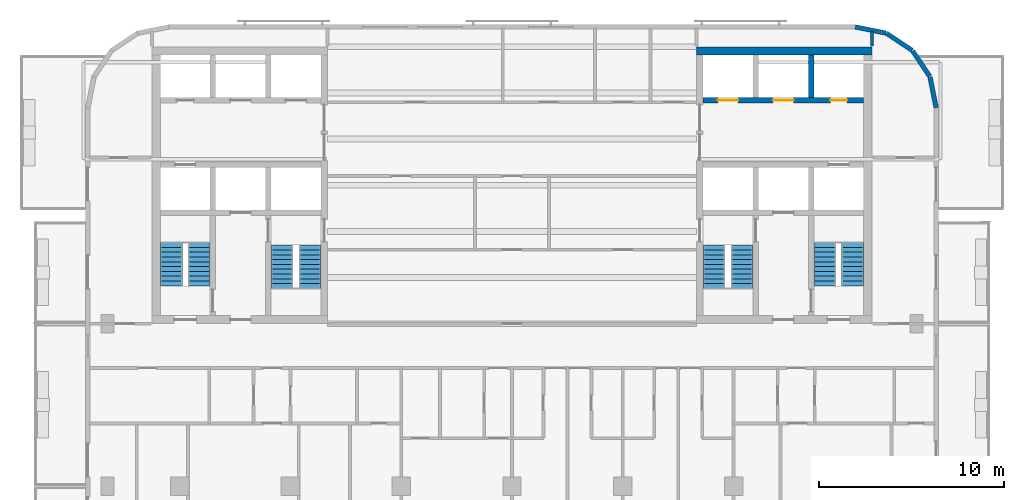
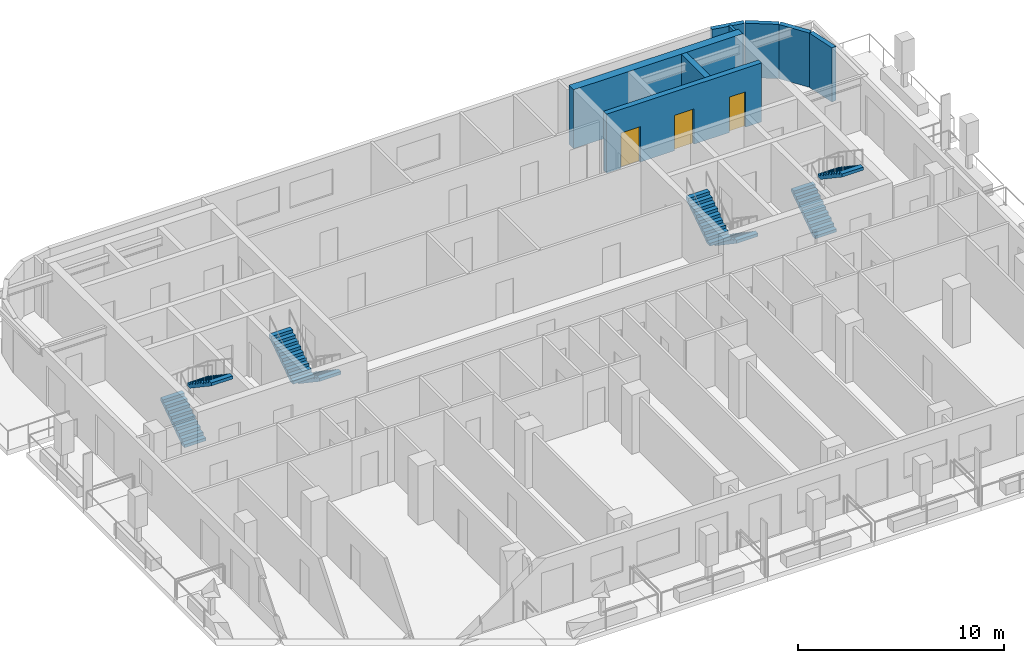
# One storey, part 7 of 11: 8 stair flights, 8 walls, 3 doors, 3 openings, 4 elements without a shape of their own.
"""IFC4 building model written with IfcOpenShell, lengths in metres."""

from ifc_helpers import new_model, si_unit, direction, frame, frame_2d, origin, place, context, subcontext, project, spatial, polyline, rectangle, outline, extrude, material, layer, layer_set, type_object, element, fill, aggregate, save


model = new_model("IFC4")

# Units and contexts
model_context = context("Model", 3, precision=1e-05, world=origin(), true_north=direction((0.0, 1.0)))
body_context = subcontext(model_context, "Body", "Model", "MODEL_VIEW")
ifc_project = project(units=[si_unit("LENGTHUNIT", "METRE"), si_unit("AREAUNIT", "SQUARE_METRE"), si_unit("VOLUMEUNIT", "CUBIC_METRE"), si_unit("PLANEANGLEUNIT", "RADIAN"), si_unit("MASSUNIT", "GRAM", prefix="KILO")], contexts=[model_context])

# Site, building, storey
site_placement = place(None, origin())
site = spatial("IfcSite", under=ifc_project, at=site_placement, CompositionType="ELEMENT")
building_placement = place(site_placement, origin())
building = spatial("IfcBuilding", under=site, at=building_placement, Name="Torana Hotel and Residences", CompositionType="ELEMENT")
storey_placement = place(building_placement, frame((0.0, 0.0, 273.60009765625)))
storey = spatial("IfcBuildingStorey", under=building, at=storey_placement, Name="L72", CompositionType="ELEMENT", Elevation=273.60009765625)

# Wall, openings, doors
ifc_material_1 = material(Name="Concrete C60/75", Category="concrete")
ifc_layer_1 = layer(ifc_material_1, 0.300048828125)
ifc_layer_set_1 = layer_set([ifc_layer_1], Name="CORE WALL 300 C60/75")
wall_type_1 = type_object("IfcWallType", Name="CORE WALL 300 C60/75", PredefinedType="SHEAR", material=ifc_layer_set_1)
wall_1_placement = place(storey_placement, frame((10.35009765625, -2.89990234375, 0.0), z_axis=(0.0, 0.0, 1.0), x_axis=(1.0, 0.0, 0.0)))
wall_1 = element("IfcWall", 1, at=wall_1_placement, inside=storey, type_object=wall_type_1, Name="Core wall E row-N", PredefinedType="SHEAR", context=body_context, shape_type="SweptSolid", body=[
    extrude(rectangle(XDim=8.699951171875, YDim=0.300048828125, at=frame_2d((4.35009765625, 0.0))), origin(), (0.0, 0.0, 1.0), 3.5),
])
opening_1_placement = place(wall_1_placement, frame((0.800048828125, 0.0, 0.0)))
opening_1 = element("IfcOpeningElement", 2, at=opening_1_placement, cuts=wall_1, Name="Opening LD", PredefinedType="OPENING", context=body_context, shape_type="SweptSolid", body=[
    extrude(rectangle(XDim=1.10009765625, YDim=2.10009765625, at=frame_2d((0.550048828125, 1.050048828125))), frame((0.0, 0.159912109375, 0.0), z_axis=(0.0, -1.0, 0.0), x_axis=(1.0, 0.0, 0.0)), (0.0, 0.0, 1.0), 0.320068359375),
])
opening_2_placement = place(wall_1_placement, frame((3.800048828125, 0.0, 0.0)))
opening_2 = element("IfcOpeningElement", 3, at=opening_2_placement, cuts=wall_1, Name="Opening LD", PredefinedType="OPENING", context=body_context, shape_type="SweptSolid", body=[
    extrude(rectangle(XDim=1.10009765625, YDim=2.10009765625, at=frame_2d((0.550048828125, 1.050048828125))), frame((0.0, 0.159912109375, 0.0), z_axis=(0.0, -1.0, 0.0), x_axis=(1.0, 0.0, 0.0)), (0.0, 0.0, 1.0), 0.320068359375),
])
opening_3_placement = place(wall_1_placement, frame((6.89990234375, 0.0, 0.0)))
opening_3 = element("IfcOpeningElement", 4, at=opening_3_placement, cuts=wall_1, Name="Opening L72-14", PredefinedType="OPENING", context=body_context, shape_type="SweptSolid", body=[
    extrude(rectangle(XDim=0.89990234375, YDim=2.10009765625, at=frame_2d((0.449951171875, 1.050048828125))), frame((0.0, 0.159912109375, 0.0), z_axis=(0.0, -1.0, 0.0), x_axis=(1.0, 0.0, 0.0)), (0.0, 0.0, 1.0), 0.320068359375),
])
ifc_material_2 = material(Name="Stainless steel 316", Category="steel")
door_type_1 = type_object("IfcDoorType", Name="LIFT LANDING DOOR LD 1100x2100", OperationType="DOUBLE_DOOR_SLIDING", PredefinedType="USERDEFINED", material=ifc_material_2)
door_1_placement = place(opening_1_placement, origin())
door_1 = element("IfcDoor", 5, at=door_1_placement, inside=storey, type_object=door_type_1, Name="Lift landing door H3 L72", ObjectType="LIFT LANDING DOOR", OperationType="DOUBLE_DOOR_SLIDING", OverallHeight=2.10009765625, OverallWidth=1.10009765625, PredefinedType="USERDEFINED", context=body_context, shape_type="SweptSolid", body=[
    extrude(rectangle(XDim=1.10009765625, YDim=2.10009765625, at=frame_2d((0.550048828125, 1.050048828125))), frame((0.0, 0.02490234375, 0.0), z_axis=(0.0, -1.0, 0.0), x_axis=(1.0, 0.0, 0.0)), (0.0, 0.0, 1.0), 0.050048828125),
])
fill(opening_1, door_1)
door_2_placement = place(opening_2_placement, origin())
door_2 = element("IfcDoor", 6, at=door_2_placement, inside=storey, type_object=door_type_1, Name="Lift landing door H4 L72", ObjectType="LIFT LANDING DOOR", OperationType="DOUBLE_DOOR_SLIDING", OverallHeight=2.10009765625, OverallWidth=1.10009765625, PredefinedType="USERDEFINED", context=body_context, shape_type="SweptSolid", body=[
    extrude(rectangle(XDim=1.10009765625, YDim=2.10009765625, at=frame_2d((0.550048828125, 1.050048828125))), frame((0.0, 0.02490234375, 0.0), z_axis=(0.0, -1.0, 0.0), x_axis=(1.0, 0.0, 0.0)), (0.0, 0.0, 1.0), 0.050048828125),
])
fill(opening_2, door_2)
ifc_material_3 = material(Name="Steel S235", Category="steel")
door_type_2 = type_object("IfcDoorType", Name="RISER ACCESS DOOR D5 900x2100", OperationType="SINGLE_SWING_LEFT", PredefinedType="DOOR", material=ifc_material_3)
door_3_placement = place(opening_3_placement, origin())
door_3 = element("IfcDoor", 7, at=door_3_placement, inside=storey, type_object=door_type_2, Name="N2 door L72", OperationType="SINGLE_SWING_RIGHT", OverallHeight=2.10009765625, OverallWidth=0.89990234375, PredefinedType="DOOR", context=body_context, shape_type="SweptSolid", body=[
    extrude(rectangle(XDim=0.89990234375, YDim=2.10009765625, at=frame_2d((0.449951171875, 1.050048828125))), frame((0.0, 0.02490234375, 0.0), z_axis=(0.0, -1.0, 0.0), x_axis=(1.0, 0.0, 0.0)), (0.0, 0.0, 1.0), 0.050048828125),
])
fill(opening_3, door_3)

# Walls
wall_2_placement = place(storey_placement, frame((16.199951171875, -2.75, 0.0), z_axis=(0.0, 0.0, 1.0), x_axis=(0.0, 1.0, 0.0)))
element("IfcWall", 8, at=wall_2_placement, inside=storey, type_object=wall_type_1, Name="Core wall E x6.05-N", PredefinedType="SHEAR", context=body_context, shape_type="SweptSolid", body=[
    extrude(rectangle(XDim=2.300048828125, YDim=0.300048828125, at=frame_2d((1.14990234375, 0.0))), origin(), (0.0, 0.0, 1.0), 3.5),
])
ifc_material_4 = material(Name="Concrete C60/75", Category="concrete")
ifc_layer_2 = layer(ifc_material_4, 0.449951171875)
ifc_layer_set_2 = layer_set([ifc_layer_2], Name="CORE WALL 450 C60/75")
wall_type_2 = type_object("IfcWallType", Name="CORE WALL 450 C60/75", PredefinedType="SHEAR", material=ifc_layer_set_2)
wall_3_placement = place(storey_placement, frame((10.0, -0.22509765625, 0.0), z_axis=(0.0, 0.0, 1.0), x_axis=(1.0, 0.0, 0.0)))
element("IfcWall", 9, at=wall_3_placement, inside=storey, type_object=wall_type_2, Name="Core wall E rear", PredefinedType="SHEAR", context=body_context, shape_type="SweptSolid", body=[
    extrude(rectangle(XDim=9.5, YDim=0.449951171875, at=frame_2d((4.75, 0.0))), origin(), (0.0, 0.0, 1.0), 3.5),
])
ifc_material_5 = material(Name="Black aluminium composite panel", Category="aluminium")
ifc_layer_3 = layer(ifc_material_5, 0.00390625, Name="Cladding", Category="cladding")
ifc_material_6 = material(Name="Ventilated air cavity")
ifc_layer_4 = layer(ifc_material_6, 0.0400390625, Name="Ventilated cavity", Category="cavity")
ifc_material_7 = material(Name="Mineral wool insulation")
ifc_layer_5 = layer(ifc_material_7, 0.090087890625, Name="Insulation", Category="insulation")
ifc_material_8 = material(Name="Steel S280GD", Category="steel")
ifc_layer_6 = layer(ifc_material_8, 0.092041015625, Name="Steel stud frame", Category="structure")
ifc_material_9 = material(Name="Fire rated plasterboard")
ifc_layer_7 = layer(ifc_material_9, 0.011962890625, Name="Inner board", Category="finish")
ifc_layer_8 = layer(ifc_material_9, 0.011962890625, Name="Second board", Category="finish")
ifc_layer_set_3 = layer_set([ifc_layer_3, ifc_layer_4, ifc_layer_5, ifc_layer_6, ifc_layer_7, ifc_layer_8], Name="EW1 EXTERNAL WALL BLACK METAL CLAD 250")
wall_type_3 = type_object("IfcWallType", Name="EW1 EXTERNAL WALL BLACK METAL CLAD 250", PredefinedType="SOLIDWALL", material=ifc_layer_set_3)
wall_4_placement = place(storey_placement, frame((22.97265625, -3.30029296875, 0.0), z_axis=(0.0, 0.0, 1.0), x_axis=(-0.19513878023, 0.980775640221, 0.0)))
element("IfcWall", 10, at=wall_4_placement, inside=storey, type_object=wall_type_3, Name="External wall L72 e0.0", PredefinedType="SOLIDWALL", context=body_context, shape_type="SweptSolid", body=[
    extrude(rectangle(XDim=1.681396484375, YDim=0.25, at=frame_2d((0.8408203125, 0.0))), origin(), (0.0, 0.0, 1.0), 3.219970703125),
])
for number, where, z_axis, x_axis, name in (
    (11, (22.6259765625, -1.60595703125, 0.0), (0.0, 0.0, 1.0), (-0.55555029066, 0.831482937015, 0.0), "External wall L72 e0.1"),
    (12, (21.671142578125, -0.1943359375, 0.0), (0.0, 0.0, 1.0), (-0.831482937015, 0.55555029066, 0.0), "External wall L72 e0.2"),
):
    element("IfcWall", number, at=place(storey_placement, frame(where, z_axis=z_axis, x_axis=x_axis)), inside=storey, type_object=wall_type_3, Name=name, PredefinedType="SOLIDWALL", context=body_context, shape_type="SweptSolid", body=[
        extrude(rectangle(XDim=1.65625, YDim=0.25, at=frame_2d((0.828125, 0.0))), origin(), (0.0, 0.0, 1.0), 3.219970703125),
    ])
wall_5_placement = place(storey_placement, frame((20.248779296875, 0.74462890625, 0.0), z_axis=(0.0, 0.0, 1.0), x_axis=(-0.980797896849, 0.195026884138, 0.0)))
element("IfcWall", 13, at=wall_5_placement, inside=storey, type_object=wall_type_3, Name="External wall L72 e0.3", PredefinedType="SOLIDWALL", context=body_context, shape_type="SweptSolid", body=[
    extrude(rectangle(XDim=1.68115234375, YDim=0.25, at=frame_2d((0.840576171875, 0.0))), origin(), (0.0, 0.0, 1.0), 3.219970703125),
])
ifc_material_10 = material(Name="Gypsum plasterboard")
ifc_layer_9 = layer(ifc_material_10, 0.012451171875, Name="Plasterboard", Category="finish")
ifc_layer_10 = layer(ifc_material_10, 0.012451171875, Name="Plasterboard", Category="finish")
ifc_layer_11 = layer(ifc_material_8, 0.10009765625, Name="Steel studs with mineral wool", Category="insulation")
ifc_layer_12 = layer(ifc_material_10, 0.012451171875, Name="Plasterboard", Category="finish")
ifc_layer_13 = layer(ifc_material_10, 0.012451171875, Name="Plasterboard", Category="finish")
ifc_layer_set_4 = layer_set([ifc_layer_9, ifc_layer_10, ifc_layer_11, ifc_layer_12, ifc_layer_13], Name="PARTITION 150 PLASTERBOARD")
wall_type_4 = type_object("IfcWallType", Name="PARTITION 150 PLASTERBOARD", PredefinedType="PARTITIONING", material=ifc_layer_set_4)
wall_6_placement = place(storey_placement, frame((19.5, 0.050048828125, 0.0), z_axis=(0.0, 0.0, 1.0), x_axis=(0.0, 1.0, 0.0)))
element("IfcWall", 14, at=wall_6_placement, inside=storey, type_object=wall_type_4, Name="Partition L72", PredefinedType="PARTITIONING", context=body_context, shape_type="SweptSolid", body=[
    extrude(rectangle(XDim=0.787353515625, YDim=0.14990234375, at=frame_2d((0.3935546875, 0.0))), origin(), (0.0, 0.0, 1.0), 3.219970703125),
])

# Stair, stair flights
ifc_material_11 = material(Name="Concrete C40/50 precast", Category="concrete")
stair_type_1 = type_object("IfcStairType", Name="STAIR ST1 HALF TURN 1200", PredefinedType="HALF_TURN_STAIR", material=ifc_material_11)
stair_1_placement = place(storey_placement, origin())
stair_1 = element("IfcStair", 15, at=stair_1_placement, inside=storey, type_object=stair_type_1, Name="Stair ST1 L72", PredefinedType="HALF_TURN_STAIR")
ifc_material_12 = material(Name="Concrete C40/50 precast", Category="concrete")
stair_flight_type = type_object("IfcStairFlightType", Name="STAIR FLIGHT 1200 PRECAST", PredefinedType="STRAIGHT", material=ifc_material_12)
stair_flight_1_placement = place(storey_placement, frame((-10.949951171875, -10.75, 0.0), z_axis=(0.0, 0.0, 1.0), x_axis=(0.0, -1.0, 0.0)))
stair_flight_1 = element("IfcStairFlight", 16, at=stair_flight_1_placement, type_object=stair_flight_type, Name="ST1 flight 1", NumberOfRisers=10, NumberOfTreads=9, PredefinedType="STRAIGHT", RiserHeight=0.175, TreadLength=0.26, context=body_context, shape_type="SweptSolid", body=[
    extrude(outline(polyline([(0.0, 0.0), (0.0, 0.175048828125), (0.260009765625, 0.175048828125), (0.260009765625, 0.35009765625), (0.52001953125, 0.35009765625), (0.52001953125, 0.52490234375), (0.780029296875, 0.52490234375), (0.780029296875, 0.699951171875), (1.0400390625, 0.699951171875), (1.0400390625, 0.875), (1.300048828125, 0.875), (1.300048828125, 1.050048828125), (1.56005859375, 1.050048828125), (1.56005859375, 1.22509765625), (1.820068359375, 1.22509765625), (1.820068359375, 1.39990234375), (2.080078125, 1.39990234375), (2.080078125, 1.574951171875), (2.340087890625, 1.574951171875), (2.340087890625, 1.75), (2.340087890625, 1.394287109375), (0.2685546875, 0.0), (0.0, 0.0)])), frame((0.0, 0.60009765625, 0.0), z_axis=(0.0, -1.0, 0.0), x_axis=(1.0, 0.0, 0.0)), (0.0, 0.0, 1.0), 1.199951171875),
])
stair_flight_2_placement = place(storey_placement, frame((-12.449951171875, -13.090087890625, 1.75), z_axis=(0.0, 0.0, 1.0), x_axis=(0.0, 1.0, 0.0)))
stair_flight_2 = element("IfcStairFlight", 17, at=stair_flight_2_placement, type_object=stair_flight_type, Name="ST1 flight 2", NumberOfRisers=10, NumberOfTreads=9, PredefinedType="STRAIGHT", RiserHeight=0.175, TreadLength=0.26, context=body_context, shape_type="SweptSolid", body=[
    extrude(outline(polyline([(0.0, 0.0), (0.0, 0.175048828125), (0.260009765625, 0.175048828125), (0.260009765625, 0.35009765625), (0.52001953125, 0.35009765625), (0.52001953125, 0.52490234375), (0.780029296875, 0.52490234375), (0.780029296875, 0.699951171875), (1.0400390625, 0.699951171875), (1.0400390625, 0.875), (1.300048828125, 0.875), (1.300048828125, 1.050048828125), (1.56005859375, 1.050048828125), (1.56005859375, 1.22509765625), (1.820068359375, 1.22509765625), (1.820068359375, 1.39990234375), (2.080078125, 1.39990234375), (2.080078125, 1.574951171875), (2.340087890625, 1.574951171875), (2.340087890625, 1.75), (2.340087890625, 1.394287109375), (0.2685546875, 0.0), (0.0, 0.0)])), frame((0.0, 0.60009765625, 0.0), z_axis=(0.0, -1.0, 0.0), x_axis=(1.0, 0.0, 0.0)), (0.0, 0.0, 1.0), 1.199951171875),
])
aggregate(stair_1, [stair_flight_1, stair_flight_2])

ifc_material_13 = material(Name="Concrete C40/50 precast", Category="concrete")
stair_type_2 = type_object("IfcStairType", Name="STAIR ST2 HALF TURN 1200", PredefinedType="HALF_TURN_STAIR", material=ifc_material_13)
stair_2_placement = place(storey_placement, origin())
stair_2 = element("IfcStair", 18, at=stair_2_placement, inside=storey, type_object=stair_type_2, Name="Stair ST2 L72", PredefinedType="HALF_TURN_STAIR")
stair_flight_3_placement = place(storey_placement, frame((-18.449951171875, -12.949951171875, 0.0), z_axis=(0.0, 0.0, 1.0), x_axis=(0.0, 1.0, 0.0)))
stair_flight_3 = element("IfcStairFlight", 19, at=stair_flight_3_placement, type_object=stair_flight_type, Name="ST2 flight 1", NumberOfRisers=10, NumberOfTreads=9, PredefinedType="STRAIGHT", RiserHeight=0.175, TreadLength=0.26, context=body_context, shape_type="SweptSolid", body=[
    extrude(outline(polyline([(0.0, 0.0), (0.0, 0.175048828125), (0.260009765625, 0.175048828125), (0.260009765625, 0.35009765625), (0.52001953125, 0.35009765625), (0.52001953125, 0.52490234375), (0.780029296875, 0.52490234375), (0.780029296875, 0.699951171875), (1.0400390625, 0.699951171875), (1.0400390625, 0.875), (1.300048828125, 0.875), (1.300048828125, 1.050048828125), (1.56005859375, 1.050048828125), (1.56005859375, 1.22509765625), (1.820068359375, 1.22509765625), (1.820068359375, 1.39990234375), (2.080078125, 1.39990234375), (2.080078125, 1.574951171875), (2.340087890625, 1.574951171875), (2.340087890625, 1.75), (2.340087890625, 1.394287109375), (0.2685546875, 0.0), (0.0, 0.0)])), frame((0.0, 0.60009765625, 0.0), z_axis=(0.0, -1.0, 0.0), x_axis=(1.0, 0.0, 0.0)), (0.0, 0.0, 1.0), 1.199951171875),
])
stair_flight_4_placement = place(storey_placement, frame((-16.949951171875, -10.610107421875, 1.75), z_axis=(0.0, 0.0, 1.0), x_axis=(0.0, -1.0, 0.0)))
stair_flight_4 = element("IfcStairFlight", 20, at=stair_flight_4_placement, type_object=stair_flight_type, Name="ST2 flight 2", NumberOfRisers=10, NumberOfTreads=9, PredefinedType="STRAIGHT", RiserHeight=0.175, TreadLength=0.26, context=body_context, shape_type="SweptSolid", body=[
    extrude(outline(polyline([(0.0, 0.0), (0.0, 0.175048828125), (0.260009765625, 0.175048828125), (0.260009765625, 0.35009765625), (0.52001953125, 0.35009765625), (0.52001953125, 0.52490234375), (0.780029296875, 0.52490234375), (0.780029296875, 0.699951171875), (1.0400390625, 0.699951171875), (1.0400390625, 0.875), (1.300048828125, 0.875), (1.300048828125, 1.050048828125), (1.56005859375, 1.050048828125), (1.56005859375, 1.22509765625), (1.820068359375, 1.22509765625), (1.820068359375, 1.39990234375), (2.080078125, 1.39990234375), (2.080078125, 1.574951171875), (2.340087890625, 1.574951171875), (2.340087890625, 1.75), (2.340087890625, 1.394287109375), (0.2685546875, 0.0), (0.0, 0.0)])), frame((0.0, 0.60009765625, 0.0), z_axis=(0.0, -1.0, 0.0), x_axis=(1.0, 0.0, 0.0)), (0.0, 0.0, 1.0), 1.199951171875),
])
aggregate(stair_2, [stair_flight_3, stair_flight_4])

ifc_material_14 = material(Name="Concrete C40/50 precast", Category="concrete")
stair_type_3 = type_object("IfcStairType", Name="STAIR ST3 HALF TURN 1200", PredefinedType="HALF_TURN_STAIR", material=ifc_material_14)
stair_3_placement = place(storey_placement, origin())
stair_3 = element("IfcStair", 21, at=stair_3_placement, inside=storey, type_object=stair_type_3, Name="Stair ST3 L72", PredefinedType="HALF_TURN_STAIR")
stair_flight_5_placement = place(storey_placement, frame((12.449951171875, -10.75, 0.0), z_axis=(0.0, 0.0, 1.0), x_axis=(0.0, -1.0, 0.0)))
stair_flight_5 = element("IfcStairFlight", 22, at=stair_flight_5_placement, type_object=stair_flight_type, Name="ST3 flight 1", NumberOfRisers=10, NumberOfTreads=9, PredefinedType="STRAIGHT", RiserHeight=0.175, TreadLength=0.26, context=body_context, shape_type="SweptSolid", body=[
    extrude(outline(polyline([(0.0, 0.0), (0.0, 0.175048828125), (0.260009765625, 0.175048828125), (0.260009765625, 0.35009765625), (0.52001953125, 0.35009765625), (0.52001953125, 0.52490234375), (0.780029296875, 0.52490234375), (0.780029296875, 0.699951171875), (1.0400390625, 0.699951171875), (1.0400390625, 0.875), (1.300048828125, 0.875), (1.300048828125, 1.050048828125), (1.56005859375, 1.050048828125), (1.56005859375, 1.22509765625), (1.820068359375, 1.22509765625), (1.820068359375, 1.39990234375), (2.080078125, 1.39990234375), (2.080078125, 1.574951171875), (2.340087890625, 1.574951171875), (2.340087890625, 1.75), (2.340087890625, 1.394287109375), (0.2685546875, 0.0), (0.0, 0.0)])), frame((0.0, 0.60009765625, 0.0), z_axis=(0.0, -1.0, 0.0), x_axis=(1.0, 0.0, 0.0)), (0.0, 0.0, 1.0), 1.199951171875),
])
stair_flight_6_placement = place(storey_placement, frame((10.949951171875, -13.090087890625, 1.75), z_axis=(0.0, 0.0, 1.0), x_axis=(0.0, 1.0, 0.0)))
stair_flight_6 = element("IfcStairFlight", 23, at=stair_flight_6_placement, type_object=stair_flight_type, Name="ST3 flight 2", NumberOfRisers=10, NumberOfTreads=9, PredefinedType="STRAIGHT", RiserHeight=0.175, TreadLength=0.26, context=body_context, shape_type="SweptSolid", body=[
    extrude(outline(polyline([(0.0, 0.0), (0.0, 0.175048828125), (0.260009765625, 0.175048828125), (0.260009765625, 0.35009765625), (0.52001953125, 0.35009765625), (0.52001953125, 0.52490234375), (0.780029296875, 0.52490234375), (0.780029296875, 0.699951171875), (1.0400390625, 0.699951171875), (1.0400390625, 0.875), (1.300048828125, 0.875), (1.300048828125, 1.050048828125), (1.56005859375, 1.050048828125), (1.56005859375, 1.22509765625), (1.820068359375, 1.22509765625), (1.820068359375, 1.39990234375), (2.080078125, 1.39990234375), (2.080078125, 1.574951171875), (2.340087890625, 1.574951171875), (2.340087890625, 1.75), (2.340087890625, 1.394287109375), (0.2685546875, 0.0), (0.0, 0.0)])), frame((0.0, 0.60009765625, 0.0), z_axis=(0.0, -1.0, 0.0), x_axis=(1.0, 0.0, 0.0)), (0.0, 0.0, 1.0), 1.199951171875),
])
aggregate(stair_3, [stair_flight_5, stair_flight_6])

ifc_material_15 = material(Name="Concrete C40/50 precast", Category="concrete")
stair_type_4 = type_object("IfcStairType", Name="STAIR ST4 HALF TURN 1200", PredefinedType="HALF_TURN_STAIR", material=ifc_material_15)
stair_4_placement = place(storey_placement, origin())
stair_4 = element("IfcStair", 24, at=stair_4_placement, inside=storey, type_object=stair_type_4, Name="Stair ST4 L72", PredefinedType="HALF_TURN_STAIR")
stair_flight_7_placement = place(storey_placement, frame((16.949951171875, -12.949951171875, 0.0), z_axis=(0.0, 0.0, 1.0), x_axis=(0.0, 1.0, 0.0)))
stair_flight_7 = element("IfcStairFlight", 25, at=stair_flight_7_placement, type_object=stair_flight_type, Name="ST4 flight 1", NumberOfRisers=10, NumberOfTreads=9, PredefinedType="STRAIGHT", RiserHeight=0.175, TreadLength=0.26, context=body_context, shape_type="SweptSolid", body=[
    extrude(outline(polyline([(0.0, 0.0), (0.0, 0.175048828125), (0.260009765625, 0.175048828125), (0.260009765625, 0.35009765625), (0.52001953125, 0.35009765625), (0.52001953125, 0.52490234375), (0.780029296875, 0.52490234375), (0.780029296875, 0.699951171875), (1.0400390625, 0.699951171875), (1.0400390625, 0.875), (1.300048828125, 0.875), (1.300048828125, 1.050048828125), (1.56005859375, 1.050048828125), (1.56005859375, 1.22509765625), (1.820068359375, 1.22509765625), (1.820068359375, 1.39990234375), (2.080078125, 1.39990234375), (2.080078125, 1.574951171875), (2.340087890625, 1.574951171875), (2.340087890625, 1.75), (2.340087890625, 1.394287109375), (0.2685546875, 0.0), (0.0, 0.0)])), frame((0.0, 0.60009765625, 0.0), z_axis=(0.0, -1.0, 0.0), x_axis=(1.0, 0.0, 0.0)), (0.0, 0.0, 1.0), 1.199951171875),
])
stair_flight_8_placement = place(storey_placement, frame((18.449951171875, -10.610107421875, 1.75), z_axis=(0.0, 0.0, 1.0), x_axis=(0.0, -1.0, 0.0)))
stair_flight_8 = element("IfcStairFlight", 26, at=stair_flight_8_placement, type_object=stair_flight_type, Name="ST4 flight 2", NumberOfRisers=10, NumberOfTreads=9, PredefinedType="STRAIGHT", RiserHeight=0.175, TreadLength=0.26, context=body_context, shape_type="SweptSolid", body=[
    extrude(outline(polyline([(0.0, 0.0), (0.0, 0.175048828125), (0.260009765625, 0.175048828125), (0.260009765625, 0.35009765625), (0.52001953125, 0.35009765625), (0.52001953125, 0.52490234375), (0.780029296875, 0.52490234375), (0.780029296875, 0.699951171875), (1.0400390625, 0.699951171875), (1.0400390625, 0.875), (1.300048828125, 0.875), (1.300048828125, 1.050048828125), (1.56005859375, 1.050048828125), (1.56005859375, 1.22509765625), (1.820068359375, 1.22509765625), (1.820068359375, 1.39990234375), (2.080078125, 1.39990234375), (2.080078125, 1.574951171875), (2.340087890625, 1.574951171875), (2.340087890625, 1.75), (2.340087890625, 1.394287109375), (0.2685546875, 0.0), (0.0, 0.0)])), frame((0.0, 0.60009765625, 0.0), z_axis=(0.0, -1.0, 0.0), x_axis=(1.0, 0.0, 0.0)), (0.0, 0.0, 1.0), 1.199951171875),
])
aggregate(stair_4, [stair_flight_7, stair_flight_8])

save(model, "model.ifc")
